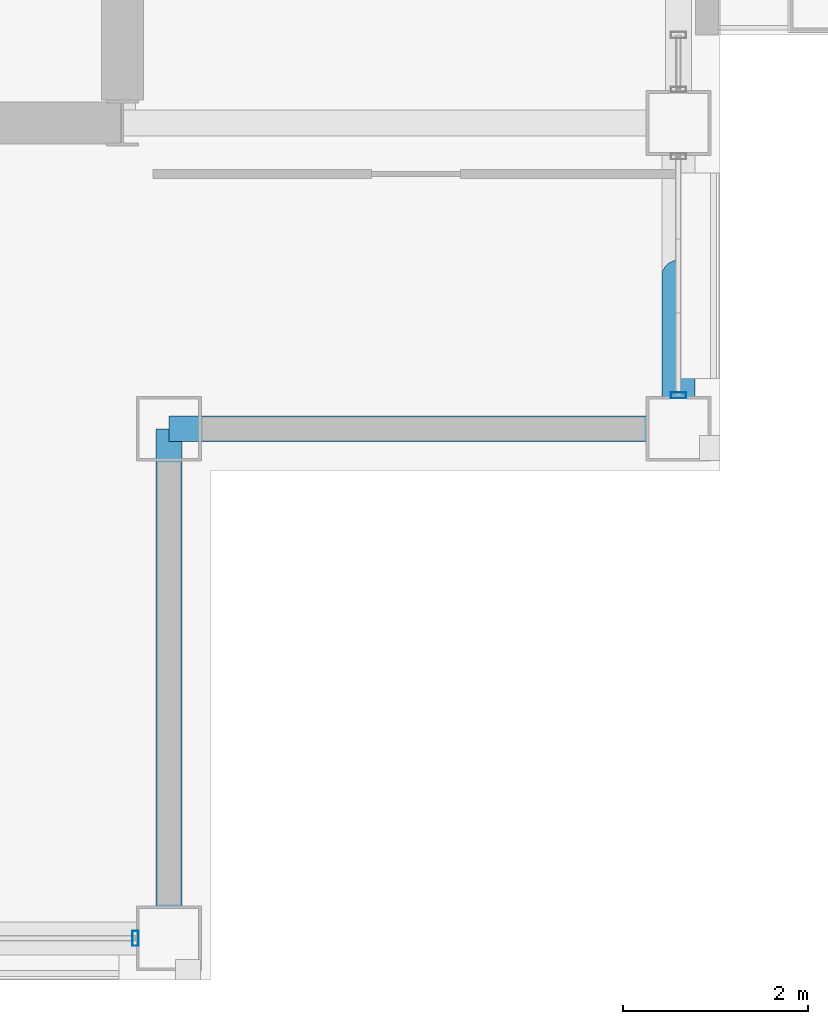
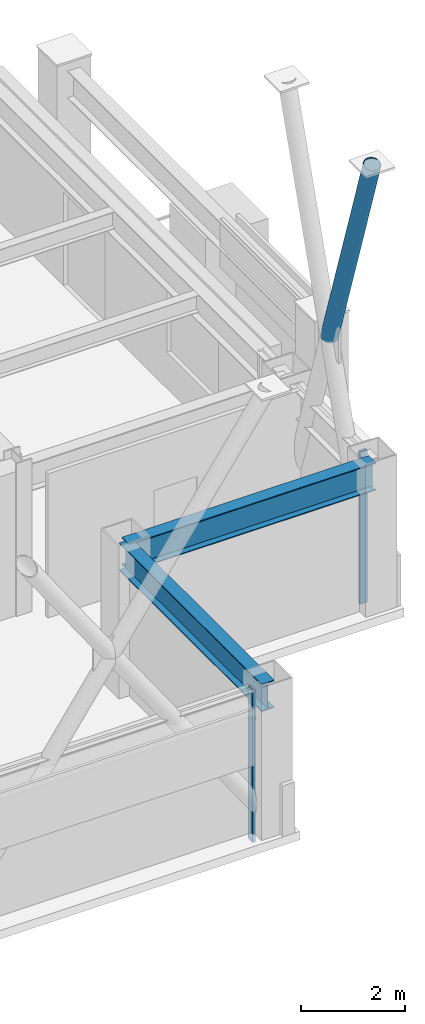
# One storey, part 14 of 33: 3 members, 2 beams, 2 elements without a shape of their own.
"""IFC4 building model written with IfcOpenShell, lengths in metres."""

from ifc_helpers import new_model, si_unit, direction, frame, origin, origin_2d, place, context, subcontext, project, spatial, hollow_rectangle, hollow_circle, i_section, extrude, material, layer, layer_set, material_profile, profile_set, type_object, element, aggregate, save


model = new_model("IFC4")

# Units and contexts
model_context = context("Model", 3, precision=1e-05, world=origin(), true_north=direction((0.0, 1.0)))
body_context = subcontext(model_context, "Body", "Model", "MODEL_VIEW")
ifc_project = project(units=[si_unit("LENGTHUNIT", "METRE"), si_unit("AREAUNIT", "SQUARE_METRE"), si_unit("VOLUMEUNIT", "CUBIC_METRE"), si_unit("PLANEANGLEUNIT", "RADIAN"), si_unit("MASSUNIT", "GRAM", prefix="KILO")], contexts=[model_context])

# Site, building, storey
site_placement = place(None, origin())
site = spatial("IfcSite", under=ifc_project, at=site_placement, CompositionType="ELEMENT")
building_placement = place(site_placement, origin())
building = spatial("IfcBuilding", under=site, at=building_placement, Name="Brelmoor Portico Tower", CompositionType="ELEMENT")
storey_placement = place(building_placement, frame((0.0, 0.0, 183.89990234375)))
storey = spatial("IfcBuildingStorey", under=building, at=storey_placement, Name="L48", CompositionType="ELEMENT", Elevation=183.89990234375)

# Beams
ifc_material_1 = material(Name="Steel Q355B", Category="steel")
ifc_material_profile_1 = material_profile(ifc_material_1, i_section(OverallWidth=0.280029296875, OverallDepth=0.64990234375, WebThickness=0.012939453125, FlangeThickness=0.02197265625, at=origin_2d()), Name="HN 650x280x13x22")
ifc_profile_set_1 = profile_set([ifc_material_profile_1], Name="Steel Q355B")
beam_type = type_object("IfcBeamType", Name="BM-SP-650", PredefinedType="SPANDREL", material=ifc_profile_set_1)
for number, where, z_axis, x_axis, name in (
    (1, (15.050048828125, -13.050048828125, 3.0751953125), (1.0, 0.0, 0.0), (0.0, 1.0, 0.0), "L48 Perimeter Spandrel Beam SP-05"),
    (2, (15.050048828125, -18.550048828125, 3.0751953125), (0.0, 1.0, 0.0), (-1.0, 0.0, 0.0), "L48 Perimeter Spandrel Beam SP-16"),
):
    element("IfcBeam", number, at=place(storey_placement, frame(where, z_axis=z_axis, x_axis=x_axis)), inside=storey, type_object=beam_type, Name=name, PredefinedType="SPANDREL", context=body_context, shape_type="SweptSolid", body=[
        extrude(i_section(OverallWidth=0.280029296875, OverallDepth=0.64990234375, WebThickness=0.012939453125, FlangeThickness=0.02197265625, at=origin_2d()), origin(), (0.0, 0.0, 1.0), 5.5),
    ])

# Member
ifc_material_profile_2 = material_profile(ifc_material_1, hollow_circle(Radius=0.177978515625, WallThickness=0.01611328125, at=origin_2d()), Name="CHS 356x16")
ifc_profile_set_2 = profile_set([ifc_material_profile_2], Name="Steel Q355B")
member_type_1 = type_object("IfcMemberType", Name="MB-BELT-DIAG2", PredefinedType="BRACE", material=ifc_profile_set_2)
member_1_placement = place(storey_placement, frame((20.550048828125, -11.39990234375, 5.300048828125), z_axis=(0.0, -0.310597538786, 0.950541513507), x_axis=(1.0, 0.0, 0.0)))
element("IfcMember", 3, at=member_1_placement, inside=storey, type_object=member_type_1, Name="L48 Split Mega-X Brace 114B2", PredefinedType="BRACE", context=body_context, shape_type="SweptSolid", body=[
    extrude(hollow_circle(Radius=0.177978515625, WallThickness=0.01611328125, at=origin_2d()), origin(), (0.0, 0.0, 1.0), 5.312744140625),
])

# Curtain wall, member
ifc_material_2 = material(Name="Anodised Aluminium Alloy 6063-T6", Category="aluminium")
ifc_layer = layer(ifc_material_2, 0.179931640625)
ifc_layer_set = layer_set([ifc_layer], Name="Anodised Aluminium Alloy 6063-T6")
curtain_wall_type = type_object("IfcCurtainWallType", Name="CW-TOWER-Z3-XB", PredefinedType="NOTDEFINED", material=ifc_layer_set)
curtain_wall_1_placement = place(storey_placement, origin())
curtain_wall_1 = element("IfcCurtainWall", 4, at=curtain_wall_1_placement, inside=storey, type_object=curtain_wall_type, Name="L48 Curtain Wall CW-L48-01-3", PredefinedType="NOTDEFINED")
ifc_material_profile_3 = material_profile(ifc_material_2, hollow_rectangle(XDim=0.06494140625, YDim=0.1650390625, WallThickness=0.00390625, at=origin_2d()), Name="ALU MULLION 65x165")
ifc_profile_set_3 = profile_set([ifc_material_profile_3], Name="Anodised Aluminium Alloy 6063-T6")
member_type_2 = type_object("IfcMemberType", Name="MB-CW-MULL-165", PredefinedType="MULLION", material=ifc_profile_set_3)
member_2_placement = place(storey_placement, frame((14.68994140625, -18.550048828125, -0.199951171875), z_axis=(0.0, 0.0, 1.0), x_axis=(1.0, 0.0, 0.0)))
member_2 = element("IfcMember", 5, at=member_2_placement, type_object=member_type_2, Name="CW-L48-01-3 Mullion 01", PredefinedType="MULLION", context=body_context, shape_type="SweptSolid", body=[
    extrude(hollow_rectangle(XDim=0.06494140625, YDim=0.1650390625, WallThickness=0.00390625, at=origin_2d()), origin(), (0.0, 0.0, 1.0), 3.60009765625),
])
aggregate(curtain_wall_1, [member_2])

curtain_wall_2_placement = place(storey_placement, origin())
curtain_wall_2 = element("IfcCurtainWall", 6, at=curtain_wall_2_placement, inside=storey, type_object=curtain_wall_type, Name="L48 Curtain Wall CW-L48-4L-1", PredefinedType="NOTDEFINED")
member_3_placement = place(storey_placement, frame((20.550048828125, -12.68994140625, -0.199951171875), z_axis=(0.0, 0.0, 1.0), x_axis=(0.0, 1.0, 0.0)))
member_3 = element("IfcMember", 7, at=member_3_placement, type_object=member_type_2, Name="CW-L48-4L-1 Mullion 00", PredefinedType="MULLION", context=body_context, shape_type="SweptSolid", body=[
    extrude(hollow_rectangle(XDim=0.06494140625, YDim=0.1650390625, WallThickness=0.00390625, at=origin_2d()), origin(), (0.0, 0.0, 1.0), 3.60009765625),
])
aggregate(curtain_wall_2, [member_3])

save(model, "model.ifc")
